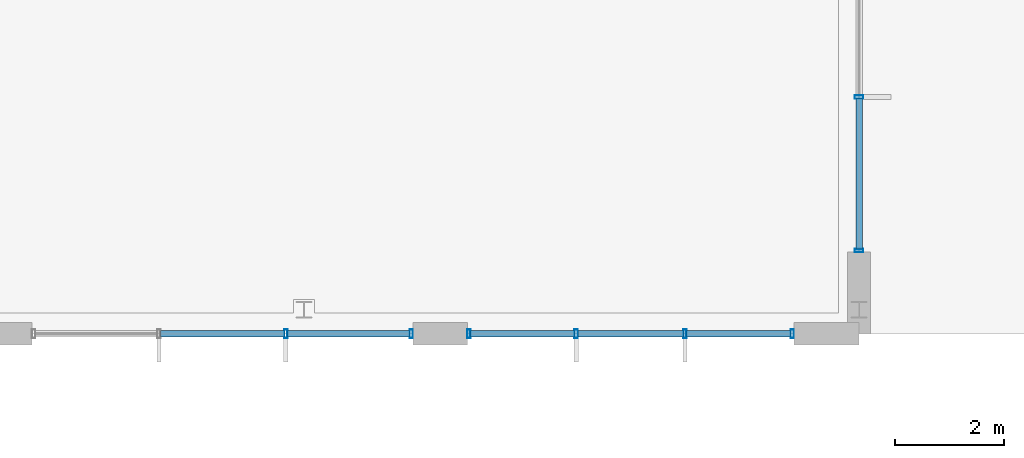
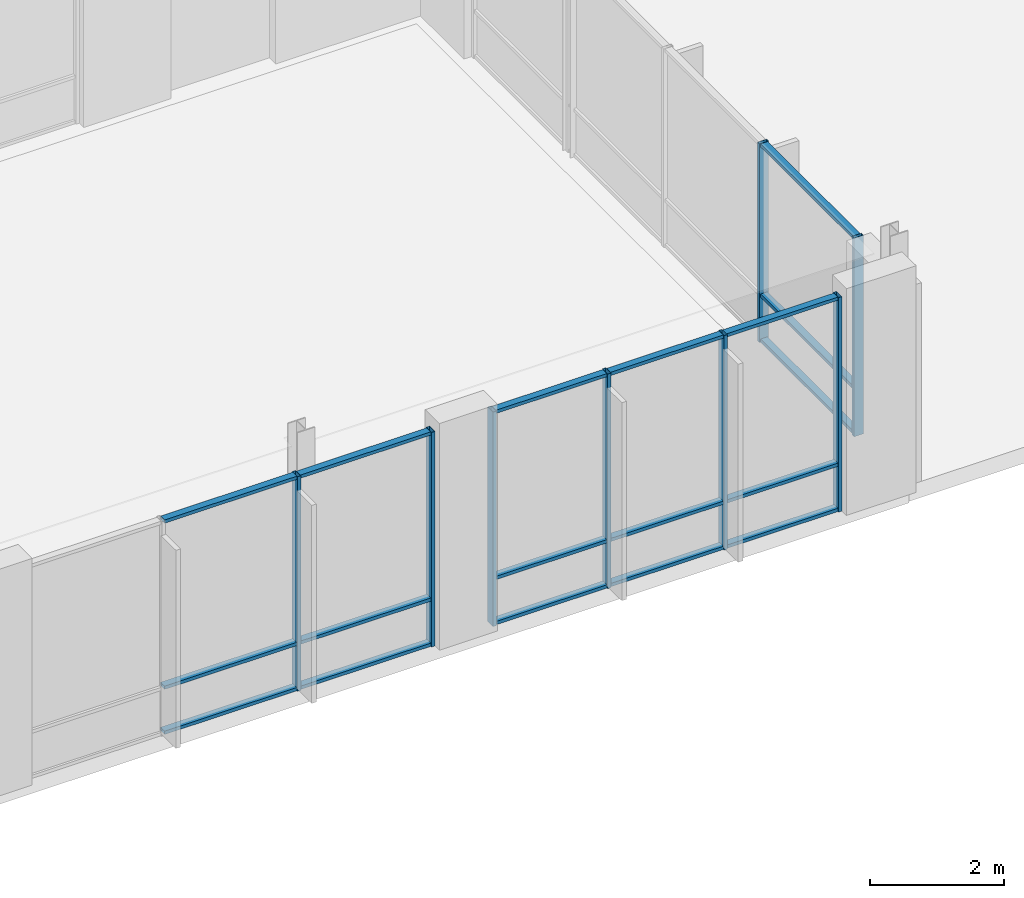
# One storey, part 62 of 233: 26 members, 3 elements without a shape of their own.
"""IFC4 building model written with IfcOpenShell, lengths in metres."""

from ifc_helpers import new_model, si_unit, direction, frame, origin, origin_2d, place, context, subcontext, project, spatial, hollow_rectangle, extrude, material, material_profile, profile_set, type_object, element, aggregate, save


model = new_model("IFC4")

# Units and contexts
model_context = context("Model", 3, precision=1e-05, world=origin(), true_north=direction((0.0, 1.0)))
body_context = subcontext(model_context, "Body", "Model", "MODEL_VIEW")
ifc_project = project(units=[si_unit("LENGTHUNIT", "METRE"), si_unit("AREAUNIT", "SQUARE_METRE"), si_unit("VOLUMEUNIT", "CUBIC_METRE"), si_unit("PLANEANGLEUNIT", "RADIAN"), si_unit("MASSUNIT", "GRAM", prefix="KILO")], contexts=[model_context])

# Site, building, storey
site_placement = place(None, origin())
site = spatial("IfcSite", under=ifc_project, at=site_placement, CompositionType="ELEMENT")
building_placement = place(site_placement, origin())
building = spatial("IfcBuilding", under=site, at=building_placement, Name="Zavelmont Quarter", CompositionType="ELEMENT")
storey_placement = place(building_placement, origin())
storey = spatial("IfcBuildingStorey", under=building, at=storey_placement, Name="L00", CompositionType="ELEMENT", Elevation=0.0)

# Curtain wall, members
ifc_material_1 = material(Name="Thermally broken aluminium and double low-E safety glazing", Category="aluminium")
curtain_wall_type_1 = type_object("IfcCurtainWallType", Name="CW-700X390", PredefinedType="NOTDEFINED", material=ifc_material_1)
curtain_wall_1_placement = place(storey_placement, origin())
curtain_wall_1 = element("IfcCurtainWall", 1, at=curtain_wall_1_placement, inside=storey, type_object=curtain_wall_type_1, Name="L00 unitised curtain wall CW-700X390", PredefinedType="NOTDEFINED")
ifc_material_2 = material(Name="Powder-coated aluminium EN AW-6063-T6", Category="aluminium")
ifc_material_profile_1 = material_profile(ifc_material_2, hollow_rectangle(XDim=0.06005859375, YDim=0.159912109375, WallThickness=0.00390625, at=origin_2d()), Name="CWM60X160")
ifc_profile_set_1 = profile_set([ifc_material_profile_1], Name="Powder-coated aluminium EN AW-6063-T6")
member_type_1 = type_object("IfcMemberType", Name="CWM01", PredefinedType="MULLION", material=ifc_profile_set_1)
member_1_placement = place(storey_placement, frame((65.466552734375, 0.0, 0.0), z_axis=(0.0, 0.0, 1.0), x_axis=(1.0, 0.0, 0.0)))
member_1 = element("IfcMember", 2, at=member_1_placement, type_object=member_type_1, Name="CW-700X390 mullion 3", PredefinedType="MULLION", context=body_context, shape_type="SweptSolid", body=[
    extrude(hollow_rectangle(XDim=0.06005859375, YDim=0.159912109375, WallThickness=0.00390625, at=origin_2d()), origin(), (0.0, 0.0, 1.0), 3.89990234375),
])
member_2_placement = place(storey_placement, frame((67.77001953125, 0.0, 0.0), z_axis=(0.0, 0.0, 1.0), x_axis=(1.0, 0.0, 0.0)))
member_2 = element("IfcMember", 3, at=member_2_placement, type_object=member_type_1, Name="CW-700X390 mullion 4", PredefinedType="MULLION", context=body_context, shape_type="SweptSolid", body=[
    extrude(hollow_rectangle(XDim=0.06005859375, YDim=0.159912109375, WallThickness=0.00390625, at=origin_2d()), origin(), (0.0, 0.0, 1.0), 3.89990234375),
])

curtain_wall_type_2 = type_object("IfcCurtainWallType", Name="CW-600X390", PredefinedType="NOTDEFINED", material=ifc_material_1)
curtain_wall_2_placement = place(storey_placement, origin())
curtain_wall_2 = element("IfcCurtainWall", 4, at=curtain_wall_2_placement, inside=storey, type_object=curtain_wall_type_2, Name="L00 unitised curtain wall CW-600X390", PredefinedType="NOTDEFINED")
member_3_placement = place(storey_placement, frame((68.830078125, 0.0, 0.0), z_axis=(0.0, 0.0, 1.0), x_axis=(1.0, 0.0, 0.0)))
member_3 = element("IfcMember", 5, at=member_3_placement, type_object=member_type_1, Name="CW-600X390 mullion 1", PredefinedType="MULLION", context=body_context, shape_type="SweptSolid", body=[
    extrude(hollow_rectangle(XDim=0.06005859375, YDim=0.159912109375, WallThickness=0.00390625, at=origin_2d()), origin(), (0.0, 0.0, 1.0), 3.89990234375),
])
member_4_placement = place(storey_placement, frame((70.800048828125, 0.0, 0.0), z_axis=(0.0, 0.0, 1.0), x_axis=(1.0, 0.0, 0.0)))
member_4 = element("IfcMember", 6, at=member_4_placement, type_object=member_type_1, Name="CW-600X390 mullion 2", PredefinedType="MULLION", context=body_context, shape_type="SweptSolid", body=[
    extrude(hollow_rectangle(XDim=0.06005859375, YDim=0.159912109375, WallThickness=0.00390625, at=origin_2d()), origin(), (0.0, 0.0, 1.0), 3.89990234375),
])
member_5_placement = place(storey_placement, frame((72.800048828125, 0.0, 0.0), z_axis=(0.0, 0.0, 1.0), x_axis=(1.0, 0.0, 0.0)))
member_5 = element("IfcMember", 7, at=member_5_placement, type_object=member_type_1, Name="CW-600X390 mullion 3", PredefinedType="MULLION", context=body_context, shape_type="SweptSolid", body=[
    extrude(hollow_rectangle(XDim=0.06005859375, YDim=0.159912109375, WallThickness=0.00390625, at=origin_2d()), origin(), (0.0, 0.0, 1.0), 3.89990234375),
])
member_6_placement = place(storey_placement, frame((74.77001953125, 0.0, 0.0), z_axis=(0.0, 0.0, 1.0), x_axis=(1.0, 0.0, 0.0)))
member_6 = element("IfcMember", 8, at=member_6_placement, type_object=member_type_1, Name="CW-600X390 mullion 4", PredefinedType="MULLION", context=body_context, shape_type="SweptSolid", body=[
    extrude(hollow_rectangle(XDim=0.06005859375, YDim=0.159912109375, WallThickness=0.00390625, at=origin_2d()), origin(), (0.0, 0.0, 1.0), 3.89990234375),
])

curtain_wall_type_3 = type_object("IfcCurtainWallType", Name="CW-1140X361", PredefinedType="NOTDEFINED", material=ifc_material_1)
curtain_wall_3_placement = place(storey_placement, origin())
curtain_wall_3 = element("IfcCurtainWall", 9, at=curtain_wall_3_placement, inside=storey, type_object=curtain_wall_type_3, Name="L00 unitised curtain wall CW-1140X361", PredefinedType="NOTDEFINED")
member_7_placement = place(storey_placement, frame((76.0, 1.530029296875, 0.0), z_axis=(0.0, 0.0, 1.0), x_axis=(0.0, 1.0, 0.0)))
member_7 = element("IfcMember", 10, at=member_7_placement, type_object=member_type_1, Name="CW-1140X361 mullion 1", PredefinedType="MULLION", context=body_context, shape_type="SweptSolid", body=[
    extrude(hollow_rectangle(XDim=0.06005859375, YDim=0.159912109375, WallThickness=0.00390625, at=origin_2d()), origin(), (0.0, 0.0, 1.0), 3.610107421875),
])
member_8_placement = place(storey_placement, frame((76.0, 4.35009765625, 0.0), z_axis=(0.0, 0.0, 1.0), x_axis=(0.0, 1.0, 0.0)))
member_8 = element("IfcMember", 11, at=member_8_placement, type_object=member_type_1, Name="CW-1140X361 mullion 2", PredefinedType="MULLION", context=body_context, shape_type="SweptSolid", body=[
    extrude(hollow_rectangle(XDim=0.06005859375, YDim=0.159912109375, WallThickness=0.00390625, at=origin_2d()), origin(), (0.0, 0.0, 1.0), 3.610107421875),
])

# Member
ifc_material_profile_2 = material_profile(ifc_material_2, hollow_rectangle(XDim=0.1201171875, YDim=0.06005859375, WallThickness=0.00390625, at=origin_2d()), Name="CWT60X120")
ifc_profile_set_2 = profile_set([ifc_material_profile_2], Name="Powder-coated aluminium EN AW-6063-T6")
member_type_2 = type_object("IfcMemberType", Name="CWT01", PredefinedType="NOTDEFINED", material=ifc_profile_set_2)
member_9_placement = place(storey_placement, frame((63.163330078125, 0.0, 0.030029296875), z_axis=(1.0, 0.0, 0.0), x_axis=(0.0, 1.0, 0.0)))
member_9 = element("IfcMember", 12, at=member_9_placement, type_object=member_type_2, Name="CW-700X390 transom 2.1", ObjectType="TRANSOM", PredefinedType="USERDEFINED", context=body_context, shape_type="SweptSolid", body=[
    extrude(hollow_rectangle(XDim=0.1201171875, YDim=0.06005859375, WallThickness=0.00390625, at=origin_2d()), origin(), (0.0, 0.0, 1.0), 2.2734375),
])

member_10_placement = place(storey_placement, frame((63.163330078125, 0.0, 0.85009765625), z_axis=(1.0, 0.0, 0.0), x_axis=(0.0, 1.0, 0.0)))
member_10 = element("IfcMember", 13, at=member_10_placement, type_object=member_type_2, Name="CW-700X390 transom 2.2", ObjectType="TRANSOM", PredefinedType="USERDEFINED", context=body_context, shape_type="SweptSolid", body=[
    extrude(hollow_rectangle(XDim=0.1201171875, YDim=0.06005859375, WallThickness=0.00390625, at=origin_2d()), origin(), (0.0, 0.0, 1.0), 2.2734375),
])

member_11_placement = place(storey_placement, frame((63.163330078125, 0.0, 3.8701171875), z_axis=(1.0, 0.0, 0.0), x_axis=(0.0, 1.0, 0.0)))
member_11 = element("IfcMember", 14, at=member_11_placement, type_object=member_type_2, Name="CW-700X390 transom 2.3", ObjectType="TRANSOM", PredefinedType="USERDEFINED", context=body_context, shape_type="SweptSolid", body=[
    extrude(hollow_rectangle(XDim=0.1201171875, YDim=0.06005859375, WallThickness=0.00390625, at=origin_2d()), origin(), (0.0, 0.0, 1.0), 2.2734375),
])

member_12_placement = place(storey_placement, frame((65.49658203125, 0.0, 0.030029296875), z_axis=(1.0, 0.0, 0.0), x_axis=(0.0, 1.0, 0.0)))
member_12 = element("IfcMember", 15, at=member_12_placement, type_object=member_type_2, Name="CW-700X390 transom 3.1", ObjectType="TRANSOM", PredefinedType="USERDEFINED", context=body_context, shape_type="SweptSolid", body=[
    extrude(hollow_rectangle(XDim=0.1201171875, YDim=0.06005859375, WallThickness=0.00390625, at=origin_2d()), origin(), (0.0, 0.0, 1.0), 2.243408203125),
])

member_13_placement = place(storey_placement, frame((65.49658203125, 0.0, 0.85009765625), z_axis=(1.0, 0.0, 0.0), x_axis=(0.0, 1.0, 0.0)))
member_13 = element("IfcMember", 16, at=member_13_placement, type_object=member_type_2, Name="CW-700X390 transom 3.2", ObjectType="TRANSOM", PredefinedType="USERDEFINED", context=body_context, shape_type="SweptSolid", body=[
    extrude(hollow_rectangle(XDim=0.1201171875, YDim=0.06005859375, WallThickness=0.00390625, at=origin_2d()), origin(), (0.0, 0.0, 1.0), 2.243408203125),
])

member_14_placement = place(storey_placement, frame((65.49658203125, 0.0, 3.8701171875), z_axis=(1.0, 0.0, 0.0), x_axis=(0.0, 1.0, 0.0)))
member_14 = element("IfcMember", 17, at=member_14_placement, type_object=member_type_2, Name="CW-700X390 transom 3.3", ObjectType="TRANSOM", PredefinedType="USERDEFINED", context=body_context, shape_type="SweptSolid", body=[
    extrude(hollow_rectangle(XDim=0.1201171875, YDim=0.06005859375, WallThickness=0.00390625, at=origin_2d()), origin(), (0.0, 0.0, 1.0), 2.243408203125),
])

aggregate(curtain_wall_1, [member_1, member_2, member_9, member_10, member_11, member_12, member_13, member_14])

member_15_placement = place(storey_placement, frame((68.860107421875, 0.0, 0.030029296875), z_axis=(1.0, 0.0, 0.0), x_axis=(0.0, 1.0, 0.0)))
member_15 = element("IfcMember", 18, at=member_15_placement, type_object=member_type_2, Name="CW-600X390 transom 1.1", ObjectType="TRANSOM", PredefinedType="USERDEFINED", context=body_context, shape_type="SweptSolid", body=[
    extrude(hollow_rectangle(XDim=0.1201171875, YDim=0.06005859375, WallThickness=0.00390625, at=origin_2d()), origin(), (0.0, 0.0, 1.0), 1.909912109375),
])

member_16_placement = place(storey_placement, frame((68.860107421875, 0.0, 0.85009765625), z_axis=(1.0, 0.0, 0.0), x_axis=(0.0, 1.0, 0.0)))
member_16 = element("IfcMember", 19, at=member_16_placement, type_object=member_type_2, Name="CW-600X390 transom 1.2", ObjectType="TRANSOM", PredefinedType="USERDEFINED", context=body_context, shape_type="SweptSolid", body=[
    extrude(hollow_rectangle(XDim=0.1201171875, YDim=0.06005859375, WallThickness=0.00390625, at=origin_2d()), origin(), (0.0, 0.0, 1.0), 1.909912109375),
])

member_17_placement = place(storey_placement, frame((68.860107421875, 0.0, 3.8701171875), z_axis=(1.0, 0.0, 0.0), x_axis=(0.0, 1.0, 0.0)))
member_17 = element("IfcMember", 20, at=member_17_placement, type_object=member_type_2, Name="CW-600X390 transom 1.3", ObjectType="TRANSOM", PredefinedType="USERDEFINED", context=body_context, shape_type="SweptSolid", body=[
    extrude(hollow_rectangle(XDim=0.1201171875, YDim=0.06005859375, WallThickness=0.00390625, at=origin_2d()), origin(), (0.0, 0.0, 1.0), 1.909912109375),
])

member_18_placement = place(storey_placement, frame((70.830078125, 0.0, 0.030029296875), z_axis=(1.0, 0.0, 0.0), x_axis=(0.0, 1.0, 0.0)))
member_18 = element("IfcMember", 21, at=member_18_placement, type_object=member_type_2, Name="CW-600X390 transom 2.1", ObjectType="TRANSOM", PredefinedType="USERDEFINED", context=body_context, shape_type="SweptSolid", body=[
    extrude(hollow_rectangle(XDim=0.1201171875, YDim=0.06005859375, WallThickness=0.00390625, at=origin_2d()), origin(), (0.0, 0.0, 1.0), 1.93994140625),
])

member_19_placement = place(storey_placement, frame((70.830078125, 0.0, 0.85009765625), z_axis=(1.0, 0.0, 0.0), x_axis=(0.0, 1.0, 0.0)))
member_19 = element("IfcMember", 22, at=member_19_placement, type_object=member_type_2, Name="CW-600X390 transom 2.2", ObjectType="TRANSOM", PredefinedType="USERDEFINED", context=body_context, shape_type="SweptSolid", body=[
    extrude(hollow_rectangle(XDim=0.1201171875, YDim=0.06005859375, WallThickness=0.00390625, at=origin_2d()), origin(), (0.0, 0.0, 1.0), 1.93994140625),
])

member_20_placement = place(storey_placement, frame((70.830078125, 0.0, 3.8701171875), z_axis=(1.0, 0.0, 0.0), x_axis=(0.0, 1.0, 0.0)))
member_20 = element("IfcMember", 23, at=member_20_placement, type_object=member_type_2, Name="CW-600X390 transom 2.3", ObjectType="TRANSOM", PredefinedType="USERDEFINED", context=body_context, shape_type="SweptSolid", body=[
    extrude(hollow_rectangle(XDim=0.1201171875, YDim=0.06005859375, WallThickness=0.00390625, at=origin_2d()), origin(), (0.0, 0.0, 1.0), 1.93994140625),
])

member_21_placement = place(storey_placement, frame((72.830078125, 0.0, 0.030029296875), z_axis=(1.0, 0.0, 0.0), x_axis=(0.0, 1.0, 0.0)))
member_21 = element("IfcMember", 24, at=member_21_placement, type_object=member_type_2, Name="CW-600X390 transom 3.1", ObjectType="TRANSOM", PredefinedType="USERDEFINED", context=body_context, shape_type="SweptSolid", body=[
    extrude(hollow_rectangle(XDim=0.1201171875, YDim=0.06005859375, WallThickness=0.00390625, at=origin_2d()), origin(), (0.0, 0.0, 1.0), 1.909912109375),
])

member_22_placement = place(storey_placement, frame((72.830078125, 0.0, 0.85009765625), z_axis=(1.0, 0.0, 0.0), x_axis=(0.0, 1.0, 0.0)))
member_22 = element("IfcMember", 25, at=member_22_placement, type_object=member_type_2, Name="CW-600X390 transom 3.2", ObjectType="TRANSOM", PredefinedType="USERDEFINED", context=body_context, shape_type="SweptSolid", body=[
    extrude(hollow_rectangle(XDim=0.1201171875, YDim=0.06005859375, WallThickness=0.00390625, at=origin_2d()), origin(), (0.0, 0.0, 1.0), 1.909912109375),
])

member_23_placement = place(storey_placement, frame((72.830078125, 0.0, 3.8701171875), z_axis=(1.0, 0.0, 0.0), x_axis=(0.0, 1.0, 0.0)))
member_23 = element("IfcMember", 26, at=member_23_placement, type_object=member_type_2, Name="CW-600X390 transom 3.3", ObjectType="TRANSOM", PredefinedType="USERDEFINED", context=body_context, shape_type="SweptSolid", body=[
    extrude(hollow_rectangle(XDim=0.1201171875, YDim=0.06005859375, WallThickness=0.00390625, at=origin_2d()), origin(), (0.0, 0.0, 1.0), 1.909912109375),
])

aggregate(curtain_wall_2, [member_3, member_4, member_5, member_6, member_15, member_16, member_17, member_18, member_19, member_20, member_21, member_22, member_23])

member_24_placement = place(storey_placement, frame((76.0, 1.56005859375, 0.030029296875), z_axis=(0.0, 1.0, 0.0), x_axis=(-1.0, 0.0, 0.0)))
member_24 = element("IfcMember", 27, at=member_24_placement, type_object=member_type_2, Name="CW-1140X361 transom 1.1", ObjectType="TRANSOM", PredefinedType="USERDEFINED", context=body_context, shape_type="SweptSolid", body=[
    extrude(hollow_rectangle(XDim=0.1201171875, YDim=0.06005859375, WallThickness=0.00390625, at=origin_2d()), origin(), (0.0, 0.0, 1.0), 2.760009765625),
])

member_25_placement = place(storey_placement, frame((76.0, 1.56005859375, 0.85009765625), z_axis=(0.0, 1.0, 0.0), x_axis=(-1.0, 0.0, 0.0)))
member_25 = element("IfcMember", 28, at=member_25_placement, type_object=member_type_2, Name="CW-1140X361 transom 1.2", ObjectType="TRANSOM", PredefinedType="USERDEFINED", context=body_context, shape_type="SweptSolid", body=[
    extrude(hollow_rectangle(XDim=0.1201171875, YDim=0.06005859375, WallThickness=0.00390625, at=origin_2d()), origin(), (0.0, 0.0, 1.0), 2.760009765625),
])

member_26_placement = place(storey_placement, frame((76.0, 1.56005859375, 3.580078125), z_axis=(0.0, 1.0, 0.0), x_axis=(-1.0, 0.0, 0.0)))
member_26 = element("IfcMember", 29, at=member_26_placement, type_object=member_type_2, Name="CW-1140X361 transom 1.3", ObjectType="TRANSOM", PredefinedType="USERDEFINED", context=body_context, shape_type="SweptSolid", body=[
    extrude(hollow_rectangle(XDim=0.1201171875, YDim=0.06005859375, WallThickness=0.00390625, at=origin_2d()), origin(), (0.0, 0.0, 1.0), 2.760009765625),
])

aggregate(curtain_wall_3, [member_7, member_8, member_24, member_25, member_26])

save(model, "model.ifc")
